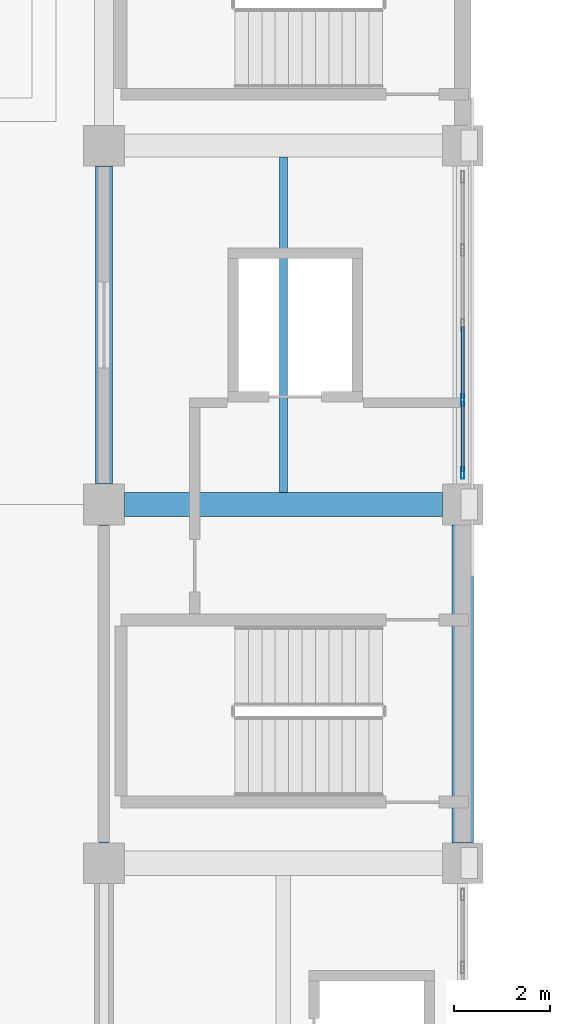
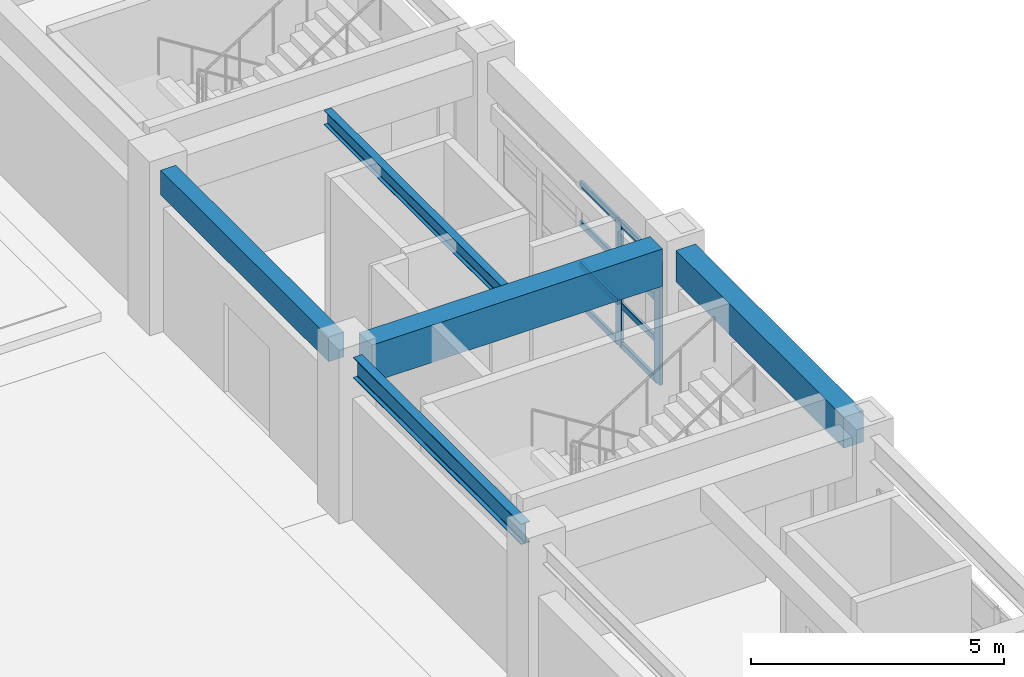
# One storey, part 42 of 132: 10 members, 5 beams, 1 element without a shape of its own.
"""IFC4 building model written with IfcOpenShell, lengths in metres."""

from ifc_helpers import new_model, si_unit, direction, frame, origin, origin_2d, place, context, subcontext, project, spatial, rectangle, hollow_rectangle, i_section, extrude, material, material_profile, profile_set, type_object, element, aggregate, save


model = new_model("IFC4")

# Units and contexts
model_context = context("Model", 3, precision=1e-05, world=origin(), true_north=direction((0.0, 1.0)))
body_context = subcontext(model_context, "Body", "Model", "MODEL_VIEW")
ifc_project = project(units=[si_unit("LENGTHUNIT", "METRE"), si_unit("AREAUNIT", "SQUARE_METRE"), si_unit("VOLUMEUNIT", "CUBIC_METRE"), si_unit("PLANEANGLEUNIT", "RADIAN"), si_unit("MASSUNIT", "GRAM", prefix="KILO")], contexts=[model_context])

# Site, building, storey
site_placement = place(None, origin())
site = spatial("IfcSite", under=ifc_project, at=site_placement, CompositionType="ELEMENT")
building_placement = place(site_placement, origin())
building = spatial("IfcBuilding", under=site, at=building_placement, Name="Qasida Concert Hall", CompositionType="ELEMENT")
storey_placement = place(building_placement, frame((0.0, 0.0, 4.800048828125)))
storey = spatial("IfcBuildingStorey", under=building, at=storey_placement, Name="L01", CompositionType="ELEMENT", Elevation=4.800048828125)

# Beams
ifc_material_1 = material(Name="Concrete C40/50", Category="concrete")
ifc_material_profile_1 = material_profile(ifc_material_1, rectangle(XDim=0.35009765625, YDim=0.60009765625, at=origin_2d()), Name="RC 350x600")
ifc_profile_set_1 = profile_set([ifc_material_profile_1], Name="Concrete C40/50")
beam_type_1 = type_object("IfcBeamType", Name="BM-B2", PredefinedType="BEAM", material=ifc_profile_set_1)
beam_1_placement = place(storey_placement, frame((97.5, 52.925048828125, 3.619873046875), z_axis=(0.0, 1.0, 0.0), x_axis=(-1.0, 0.0, 0.0)))
element("IfcBeam", 1, at=beam_1_placement, inside=storey, type_object=beam_type_1, Name="L01 girder 0820", PredefinedType="BEAM", context=body_context, shape_type="SweptSolid", body=[
    extrude(rectangle(XDim=0.35009765625, YDim=0.60009765625, at=origin_2d()), origin(), (0.0, 0.0, 1.0), 6.64990234375),
])
ifc_material_2 = material(Name="Steel S355J2", Category="steel")
ifc_material_profile_2 = material_profile(ifc_material_2, i_section(OverallWidth=0.199951171875, OverallDepth=0.5, WebThickness=0.01025390625, FlangeThickness=0.01611328125, FilletRadius=0.02099609375, at=origin_2d()), Name="IPE 500")
ifc_profile_set_2 = profile_set([ifc_material_profile_2], Name="Steel S355J2")
beam_type_2 = type_object("IfcBeamType", Name="BM-B4", PredefinedType="BEAM", material=ifc_profile_set_2)
beam_2_placement = place(storey_placement, frame((97.5, 45.425048828125, 3.669921875), z_axis=(0.0, 1.0, 0.0), x_axis=(-1.0, 0.0, 0.0)))
element("IfcBeam", 2, at=beam_2_placement, inside=storey, type_object=beam_type_2, Name="L01 girder 0819", PredefinedType="BEAM", context=body_context, shape_type="SweptSolid", body=[
    extrude(i_section(OverallWidth=0.199951171875, OverallDepth=0.5, WebThickness=0.01025390625, FlangeThickness=0.01611328125, FilletRadius=0.02099609375, at=origin_2d()), origin(), (0.0, 0.0, 1.0), 6.64990234375),
])
ifc_material_profile_3 = material_profile(ifc_material_1, rectangle(XDim=0.5, YDim=0.89990234375, at=origin_2d()), Name="RC 500x900")
ifc_profile_set_3 = profile_set([ifc_material_profile_3], Name="Concrete C40/50")
beam_type_3 = type_object("IfcBeamType", Name="BM-G1", PredefinedType="USERDEFINED", material=ifc_profile_set_3)
beam_3_placement = place(storey_placement, frame((97.925048828125, 52.5, 3.469970703125), z_axis=(1.0, 0.0, 0.0), x_axis=(0.0, 1.0, 0.0)))
element("IfcBeam", 3, at=beam_3_placement, inside=storey, type_object=beam_type_3, Name="Primary girder 0779", ObjectType="GIRDER", PredefinedType="USERDEFINED", context=body_context, shape_type="SweptSolid", body=[
    extrude(rectangle(XDim=0.5, YDim=0.89990234375, at=origin_2d()), origin(), (0.0, 0.0, 1.0), 6.64990234375),
])
ifc_material_profile_4 = material_profile(ifc_material_2, i_section(OverallWidth=0.169921875, OverallDepth=0.360107421875, WebThickness=0.008056640625, FlangeThickness=0.0126953125, FilletRadius=0.01806640625, at=origin_2d()), Name="IPE 360")
ifc_profile_set_4 = profile_set([ifc_material_profile_4], Name="Steel S355J2")
beam_type_4 = type_object("IfcBeamType", Name="BM-J2", PredefinedType="JOIST", material=ifc_profile_set_4)
beam_4_placement = place(storey_placement, frame((101.25, 52.75, 3.739990234375), z_axis=(0.0, 1.0, 0.0), x_axis=(-1.0, 0.0, 0.0)))
element("IfcBeam", 4, at=beam_4_placement, inside=storey, type_object=beam_type_4, Name="L01 secondary joist 0849", PredefinedType="JOIST", context=body_context, shape_type="SweptSolid", body=[
    extrude(i_section(OverallWidth=0.169921875, OverallDepth=0.360107421875, WebThickness=0.008056640625, FlangeThickness=0.0126953125, FilletRadius=0.01806640625, at=origin_2d()), origin(), (0.0, 0.0, 1.0), 7.010009765625),
])
ifc_material_profile_5 = material_profile(ifc_material_1, rectangle(XDim=0.449951171875, YDim=0.75, at=origin_2d()), Name="RC 450x750")
ifc_profile_set_5 = profile_set([ifc_material_profile_5], Name="Concrete C40/50")
beam_type_5 = type_object("IfcBeamType", Name="BM-SP4", PredefinedType="SPANDREL", material=ifc_profile_set_5)
beam_5_placement = place(storey_placement, frame((105.0, 45.425048828125, 3.544921875), z_axis=(0.0, 1.0, 0.0), x_axis=(-1.0, 0.0, 0.0)))
element("IfcBeam", 5, at=beam_5_placement, inside=storey, type_object=beam_type_5, Name="L01 girder 0825", PredefinedType="SPANDREL", context=body_context, shape_type="SweptSolid", body=[
    extrude(rectangle(XDim=0.449951171875, YDim=0.75, at=origin_2d()), origin(), (0.0, 0.0, 1.0), 6.64990234375),
])

# Curtain wall, members
ifc_material_3 = material(Name="Architectural bronze-anodized aluminium and low-E glass", Category="aluminium")
curtain_wall_type = type_object("IfcCurtainWallType", Name="CW-02", PredefinedType="NOTDEFINED", material=ifc_material_3)
curtain_wall_placement = place(storey_placement, origin())
curtain_wall = element("IfcCurtainWall", 6, at=curtain_wall_placement, inside=storey, type_object=curtain_wall_type, Name="L01 curtain wall CW-02 0045", PredefinedType="NOTDEFINED")
ifc_material_4 = material(Name="Architectural bronze-anodized aluminium EN AW-6063", Category="aluminium")
ifc_material_profile_6 = material_profile(ifc_material_4, hollow_rectangle(XDim=0.070068359375, YDim=0.239990234375, WallThickness=0.0048828125, InnerFilletRadius=0.0048828125, OuterFilletRadius=0.010009765625, at=origin_2d()), Name="CWM 240x70x5")
ifc_profile_set_6 = profile_set([ifc_material_profile_6], Name="Architectural bronze-anodized aluminium EN AW-6063")
member_type_1 = type_object("IfcMemberType", Name="MB-CWM-1", PredefinedType="MULLION", material=ifc_profile_set_6)
member_1_placement = place(storey_placement, frame((105.0, 53.155029296875, 0.0), z_axis=(0.0, 0.0, 1.0), x_axis=(-1.0, 0.0, 0.0)))
member_1 = element("IfcMember", 7, at=member_1_placement, type_object=member_type_1, Name="CW-02 mullion 1", PredefinedType="MULLION", context=body_context, shape_type="SweptSolid", body=[
    extrude(hollow_rectangle(XDim=0.070068359375, YDim=0.239990234375, WallThickness=0.0048828125, InnerFilletRadius=0.0048828125, OuterFilletRadius=0.010009765625, at=origin_2d()), origin(), (0.0, 0.0, 1.0), 2.989990234375),
])
member_2_placement = place(storey_placement, frame((105.0, 54.68505859375, 0.0), z_axis=(0.0, 0.0, 1.0), x_axis=(-1.0, 0.0, 0.0)))
member_2 = element("IfcMember", 8, at=member_2_placement, type_object=member_type_1, Name="CW-02 mullion 2", PredefinedType="MULLION", context=body_context, shape_type="SweptSolid", body=[
    extrude(hollow_rectangle(XDim=0.070068359375, YDim=0.239990234375, WallThickness=0.0048828125, InnerFilletRadius=0.0048828125, OuterFilletRadius=0.010009765625, at=origin_2d()), origin(), (0.0, 0.0, 1.0), 2.989990234375),
])
ifc_material_profile_7 = material_profile(ifc_material_4, hollow_rectangle(XDim=0.06494140625, YDim=0.14990234375, WallThickness=0.00390625, InnerFilletRadius=0.00390625, OuterFilletRadius=0.008056640625, at=origin_2d()), Name="CWT 150x65x4")
ifc_profile_set_7 = profile_set([ifc_material_profile_7], Name="Architectural bronze-anodized aluminium EN AW-6063")
member_type_2 = type_object("IfcMemberType", Name="MB-CWT-1", PredefinedType="USERDEFINED", material=ifc_profile_set_7)
member_3_placement = place(storey_placement, frame((105.0, 53.18994140625, 0.032470703125), z_axis=(0.0, 1.0, 0.0), x_axis=(-1.0, 0.0, 0.0)))
member_3 = element("IfcMember", 9, at=member_3_placement, type_object=member_type_2, Name="CW-02 transom 1.1", ObjectType="TRANSOM", PredefinedType="USERDEFINED", context=body_context, shape_type="SweptSolid", body=[
    extrude(hollow_rectangle(XDim=0.06494140625, YDim=0.14990234375, WallThickness=0.00390625, InnerFilletRadius=0.00390625, OuterFilletRadius=0.008056640625, at=origin_2d()), origin(), (0.0, 0.0, 1.0), 1.4599609375),
])
member_4_placement = place(storey_placement, frame((105.0, 53.18994140625, 0.99658203125), z_axis=(0.0, 1.0, 0.0), x_axis=(-1.0, 0.0, 0.0)))
member_4 = element("IfcMember", 10, at=member_4_placement, type_object=member_type_2, Name="CW-02 transom 1.2", ObjectType="TRANSOM", PredefinedType="USERDEFINED", context=body_context, shape_type="SweptSolid", body=[
    extrude(hollow_rectangle(XDim=0.06494140625, YDim=0.14990234375, WallThickness=0.00390625, InnerFilletRadius=0.00390625, OuterFilletRadius=0.008056640625, at=origin_2d()), origin(), (0.0, 0.0, 1.0), 1.4599609375),
])
member_5_placement = place(storey_placement, frame((105.0, 53.18994140625, 1.9931640625), z_axis=(0.0, 1.0, 0.0), x_axis=(-1.0, 0.0, 0.0)))
member_5 = element("IfcMember", 11, at=member_5_placement, type_object=member_type_2, Name="CW-02 transom 1.3", ObjectType="TRANSOM", PredefinedType="USERDEFINED", context=body_context, shape_type="SweptSolid", body=[
    extrude(hollow_rectangle(XDim=0.06494140625, YDim=0.14990234375, WallThickness=0.00390625, InnerFilletRadius=0.00390625, OuterFilletRadius=0.008056640625, at=origin_2d()), origin(), (0.0, 0.0, 1.0), 1.4599609375),
])
member_6_placement = place(storey_placement, frame((105.0, 53.18994140625, 2.95751953125), z_axis=(0.0, 1.0, 0.0), x_axis=(-1.0, 0.0, 0.0)))
member_6 = element("IfcMember", 12, at=member_6_placement, type_object=member_type_2, Name="CW-02 transom 1.4", ObjectType="TRANSOM", PredefinedType="USERDEFINED", context=body_context, shape_type="SweptSolid", body=[
    extrude(hollow_rectangle(XDim=0.06494140625, YDim=0.14990234375, WallThickness=0.00390625, InnerFilletRadius=0.00390625, OuterFilletRadius=0.008056640625, at=origin_2d()), origin(), (0.0, 0.0, 1.0), 1.4599609375),
])
member_7_placement = place(storey_placement, frame((105.0, 54.719970703125, 0.032470703125), z_axis=(0.0, 1.0, 0.0), x_axis=(-1.0, 0.0, 0.0)))
member_7 = element("IfcMember", 13, at=member_7_placement, type_object=member_type_2, Name="CW-02 transom 2.1", ObjectType="TRANSOM", PredefinedType="USERDEFINED", context=body_context, shape_type="SweptSolid", body=[
    extrude(hollow_rectangle(XDim=0.06494140625, YDim=0.14990234375, WallThickness=0.00390625, InnerFilletRadius=0.00390625, OuterFilletRadius=0.008056640625, at=origin_2d()), origin(), (0.0, 0.0, 1.0), 1.4951171875),
])
member_8_placement = place(storey_placement, frame((105.0, 54.719970703125, 0.99658203125), z_axis=(0.0, 1.0, 0.0), x_axis=(-1.0, 0.0, 0.0)))
member_8 = element("IfcMember", 14, at=member_8_placement, type_object=member_type_2, Name="CW-02 transom 2.2", ObjectType="TRANSOM", PredefinedType="USERDEFINED", context=body_context, shape_type="SweptSolid", body=[
    extrude(hollow_rectangle(XDim=0.06494140625, YDim=0.14990234375, WallThickness=0.00390625, InnerFilletRadius=0.00390625, OuterFilletRadius=0.008056640625, at=origin_2d()), origin(), (0.0, 0.0, 1.0), 1.4951171875),
])
member_9_placement = place(storey_placement, frame((105.0, 54.719970703125, 1.9931640625), z_axis=(0.0, 1.0, 0.0), x_axis=(-1.0, 0.0, 0.0)))
member_9 = element("IfcMember", 15, at=member_9_placement, type_object=member_type_2, Name="CW-02 transom 2.3", ObjectType="TRANSOM", PredefinedType="USERDEFINED", context=body_context, shape_type="SweptSolid", body=[
    extrude(hollow_rectangle(XDim=0.06494140625, YDim=0.14990234375, WallThickness=0.00390625, InnerFilletRadius=0.00390625, OuterFilletRadius=0.008056640625, at=origin_2d()), origin(), (0.0, 0.0, 1.0), 1.4951171875),
])
member_10_placement = place(storey_placement, frame((105.0, 54.719970703125, 2.95751953125), z_axis=(0.0, 1.0, 0.0), x_axis=(-1.0, 0.0, 0.0)))
member_10 = element("IfcMember", 16, at=member_10_placement, type_object=member_type_2, Name="CW-02 transom 2.4", ObjectType="TRANSOM", PredefinedType="USERDEFINED", context=body_context, shape_type="SweptSolid", body=[
    extrude(hollow_rectangle(XDim=0.06494140625, YDim=0.14990234375, WallThickness=0.00390625, InnerFilletRadius=0.00390625, OuterFilletRadius=0.008056640625, at=origin_2d()), origin(), (0.0, 0.0, 1.0), 1.4951171875),
])
aggregate(curtain_wall, [member_1, member_2, member_3, member_4, member_5, member_6, member_7, member_8, member_9, member_10])

save(model, "model.ifc")
